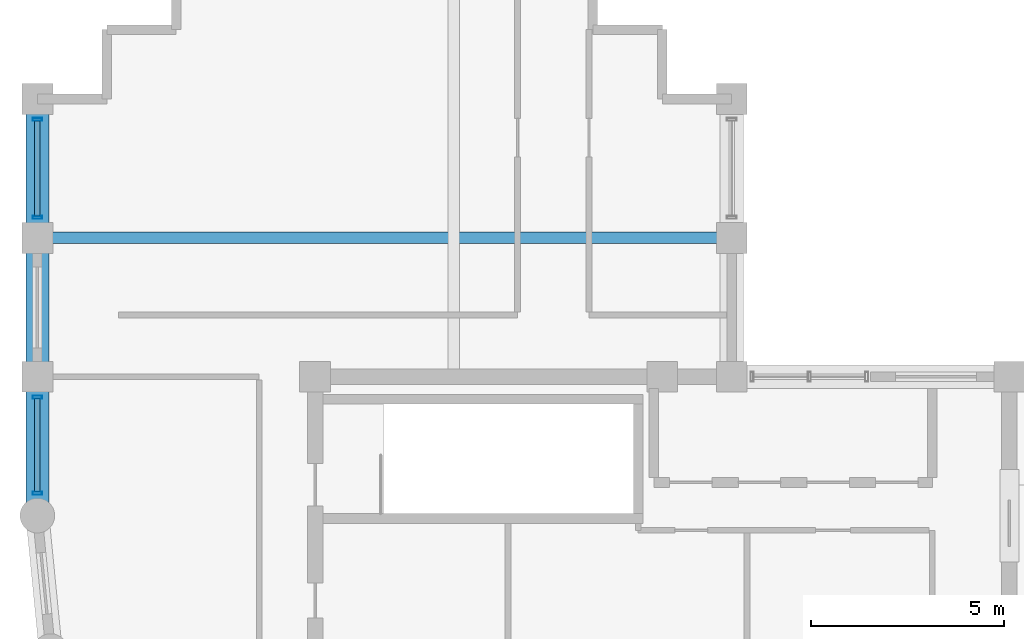
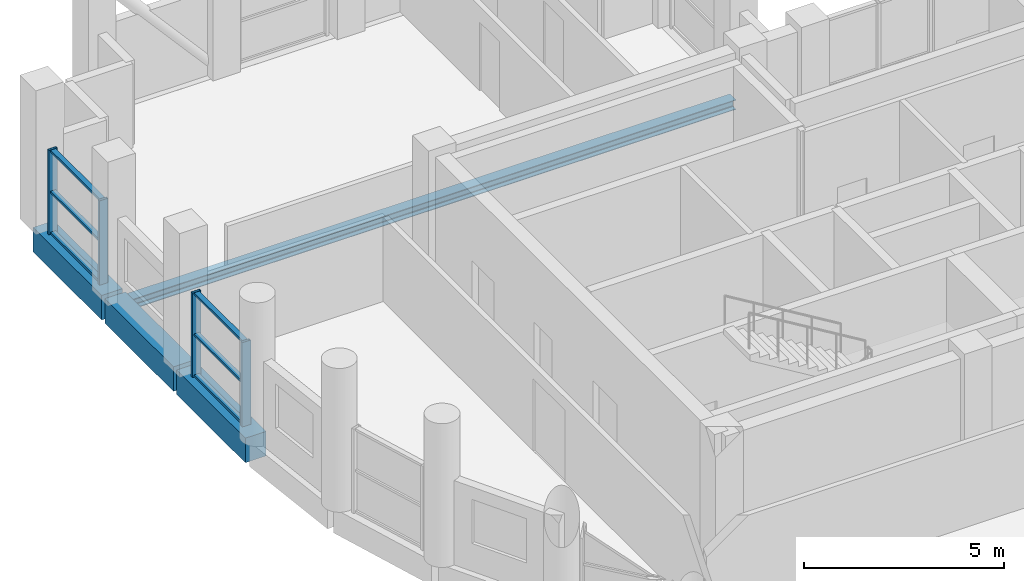
# One storey, part 5 of 14: 10 members, 4 beams, 2 elements without a shape of their own.
"""IFC4 building model written with IfcOpenShell, lengths in metres."""

from ifc_helpers import new_model, si_unit, direction, frame, origin, origin_2d, place, context, subcontext, project, spatial, rectangle, hollow_rectangle, i_section, extrude, material, layer, layer_set, material_profile, profile_set, type_object, element, aggregate, save


model = new_model("IFC4")

# Units and contexts
model_context = context("Model", 3, precision=1e-05, world=origin(), true_north=direction((0.0, 1.0)))
body_context = subcontext(model_context, "Body", "Model", "MODEL_VIEW")
ifc_project = project(units=[si_unit("LENGTHUNIT", "METRE"), si_unit("AREAUNIT", "SQUARE_METRE"), si_unit("VOLUMEUNIT", "CUBIC_METRE"), si_unit("PLANEANGLEUNIT", "RADIAN"), si_unit("MASSUNIT", "GRAM", prefix="KILO")], contexts=[model_context])

# Site, building, storey
site_placement = place(None, origin())
site = spatial("IfcSite", under=ifc_project, at=site_placement, CompositionType="ELEMENT")
building_placement = place(site_placement, origin())
building = spatial("IfcBuilding", under=site, at=building_placement, Name="Solnavia Interchange Tower", CompositionType="ELEMENT")
storey_placement = place(building_placement, frame((0.0, 0.0, 299.800048828125)))
storey = spatial("IfcBuildingStorey", under=building, at=storey_placement, Name="L76", CompositionType="ELEMENT", Elevation=299.800048828125)

# Beams
ifc_material_1 = material(Name="Steel S460", Category="steel")
ifc_material_profile_1 = material_profile(ifc_material_1, i_section(OverallWidth=0.300048828125, OverallDepth=0.300048828125, WebThickness=0.010986328125, FlangeThickness=0.01904296875, FilletRadius=0.027099609375, at=origin_2d()), Name="HEB 300")
ifc_profile_set_1 = profile_set([ifc_material_profile_1], Name="Steel S460")
beam_type_1 = type_object("IfcBeamType", Name="Beam-Girder-HEB300", PredefinedType="BEAM", material=ifc_profile_set_1)
beam_1_placement = place(storey_placement, frame((7.280029296875, 28.800048828125, -0.400146484375), z_axis=(1.0, 0.0, 0.0), x_axis=(0.0, 1.0, 0.0)))
element("IfcBeam", 1, at=beam_1_placement, inside=storey, type_object=beam_type_1, Name="GRD-L76-NW04 North wing primary floor girder", PredefinedType="BEAM", context=body_context, shape_type="SweptSolid", body=[
    extrude(i_section(OverallWidth=0.300048828125, OverallDepth=0.300048828125, WebThickness=0.010986328125, FlangeThickness=0.01904296875, FilletRadius=0.027099609375, at=origin_2d()), origin(), (0.0, 0.0, 1.0), 17.840087890625),
])
ifc_material_2 = material(Name="Concrete C50/60", Category="concrete")
ifc_material_profile_2 = material_profile(ifc_material_2, rectangle(XDim=0.60009765625, YDim=0.75, at=origin_2d()), Name="RC 600x750")
ifc_profile_set_2 = profile_set([ifc_material_profile_2], Name="Concrete C50/60")
beam_type_2 = type_object("IfcBeamType", Name="Beam-Spandrel-RC600x750", PredefinedType="SPANDREL", material=ifc_profile_set_2)
beam_2_placement = place(storey_placement, frame((7.199951171875, 32.320068359375, -0.375), z_axis=(0.0, -1.0, 0.0), x_axis=(1.0, 0.0, 0.0)))
element("IfcBeam", 2, at=beam_2_placement, inside=storey, type_object=beam_type_2, Name="SPB-L76-25 Framed-tube perimeter spandrel beam", PredefinedType="SPANDREL", context=body_context, shape_type="SweptSolid", body=[
    extrude(rectangle(XDim=0.60009765625, YDim=0.75, at=origin_2d()), origin(), (0.0, 0.0, 1.0), 3.440185546875),
])
beam_3_placement = place(storey_placement, frame((7.199951171875, 28.719970703125, -0.375), z_axis=(0.0, -1.0, 0.0), x_axis=(1.0, 0.0, 0.0)))
element("IfcBeam", 3, at=beam_3_placement, inside=storey, type_object=beam_type_2, Name="SPB-L76-26 Framed-tube perimeter spandrel beam", PredefinedType="SPANDREL", context=body_context, shape_type="SweptSolid", body=[
    extrude(rectangle(XDim=0.60009765625, YDim=0.75, at=origin_2d()), origin(), (0.0, 0.0, 1.0), 3.43994140625),
])
beam_4_placement = place(storey_placement, frame((7.199951171875, 25.1201171875, -0.375), z_axis=(0.0, -1.0, 0.0), x_axis=(1.0, 0.0, 0.0)))
element("IfcBeam", 4, at=beam_4_placement, inside=storey, type_object=beam_type_2, Name="SPB-L76-27 Framed-tube perimeter spandrel beam", PredefinedType="SPANDREL", context=body_context, shape_type="SweptSolid", body=[
    extrude(rectangle(XDim=0.60009765625, YDim=0.75, at=origin_2d()), origin(), (0.0, 0.0, 1.0), 3.440185546875),
])

# Curtain wall, members
ifc_material_3 = material(Name="Aluminium Alloy 6063-T6", Category="aluminium")
ifc_layer = layer(ifc_material_3, 0.27001953125)
ifc_layer_set = layer_set([ifc_layer], Name="Aluminium Alloy 6063-T6")
curtain_wall_type = type_object("IfcCurtainWallType", Name="CurtainWall-SkyLobby-CTW4", PredefinedType="NOTDEFINED", material=ifc_layer_set)
curtain_wall_1_placement = place(storey_placement, origin())
curtain_wall_1 = element("IfcCurtainWall", 5, at=curtain_wall_1_placement, inside=storey, type_object=curtain_wall_type, Name="CTW-L76-S34 CTW-4 curtain wall", PredefinedType="NOTDEFINED")
ifc_material_profile_3 = material_profile(ifc_material_3, hollow_rectangle(XDim=0.080078125, YDim=0.25, WallThickness=0.006103515625, at=origin_2d()), Name="ALU 250x80x6")
ifc_profile_set_3 = profile_set([ifc_material_profile_3], Name="Aluminium Alloy 6063-T6")
member_type_1 = type_object("IfcMemberType", Name="CW-Mullion-CWM-4", PredefinedType="MULLION", material=ifc_profile_set_3)
member_1_placement = place(storey_placement, frame((7.199951171875, 31.8701171875, 0.0), z_axis=(0.0, 0.0, 1.0), x_axis=(0.0, -1.0, 0.0)))
member_1 = element("IfcMember", 6, at=member_1_placement, type_object=member_type_1, Name="CTW-4 mullion 1", PredefinedType="MULLION", context=body_context, shape_type="SweptSolid", body=[
    extrude(hollow_rectangle(XDim=0.080078125, YDim=0.25, WallThickness=0.006103515625, at=origin_2d()), origin(), (0.0, 0.0, 1.0), 2.579833984375),
])
member_2_placement = place(storey_placement, frame((7.199951171875, 29.330078125, 0.0), z_axis=(0.0, 0.0, 1.0), x_axis=(0.0, -1.0, 0.0)))
member_2 = element("IfcMember", 7, at=member_2_placement, type_object=member_type_1, Name="CTW-4 mullion 2", PredefinedType="MULLION", context=body_context, shape_type="SweptSolid", body=[
    extrude(hollow_rectangle(XDim=0.080078125, YDim=0.25, WallThickness=0.006103515625, at=origin_2d()), origin(), (0.0, 0.0, 1.0), 2.579833984375),
])

curtain_wall_2_placement = place(storey_placement, origin())
curtain_wall_2 = element("IfcCurtainWall", 8, at=curtain_wall_2_placement, inside=storey, type_object=curtain_wall_type, Name="CTW-L76-S36 CTW-4 curtain wall", PredefinedType="NOTDEFINED")
member_3_placement = place(storey_placement, frame((7.199951171875, 24.669921875, 0.0), z_axis=(0.0, 0.0, 1.0), x_axis=(0.0, -1.0, 0.0)))
member_3 = element("IfcMember", 9, at=member_3_placement, type_object=member_type_1, Name="CTW-4 mullion 1", PredefinedType="MULLION", context=body_context, shape_type="SweptSolid", body=[
    extrude(hollow_rectangle(XDim=0.080078125, YDim=0.25, WallThickness=0.006103515625, at=origin_2d()), origin(), (0.0, 0.0, 1.0), 2.579833984375),
])
member_4_placement = place(storey_placement, frame((7.199951171875, 22.179931640625, 0.0), z_axis=(0.0, 0.0, 1.0), x_axis=(0.0, -1.0, 0.0)))
member_4 = element("IfcMember", 10, at=member_4_placement, type_object=member_type_1, Name="CTW-4 mullion 2", PredefinedType="MULLION", context=body_context, shape_type="SweptSolid", body=[
    extrude(hollow_rectangle(XDim=0.080078125, YDim=0.25, WallThickness=0.006103515625, at=origin_2d()), origin(), (0.0, 0.0, 1.0), 2.579833984375),
])

# Member
ifc_material_profile_4 = material_profile(ifc_material_3, hollow_rectangle(XDim=0.070068359375, YDim=0.14990234375, WallThickness=0.00439453125, at=origin_2d()), Name="ALU 150x70x4.5")
ifc_profile_set_4 = profile_set([ifc_material_profile_4], Name="Aluminium Alloy 6063-T6")
member_type_2 = type_object("IfcMemberType", Name="CW-Transom-CWT-4", PredefinedType="USERDEFINED", material=ifc_profile_set_4)
member_5_placement = place(storey_placement, frame((7.199951171875, 31.830078125, 0.034912109375), z_axis=(0.0, -1.0, 0.0), x_axis=(0.0, 0.0, 1.0)))
member_5 = element("IfcMember", 11, at=member_5_placement, type_object=member_type_2, Name="CTW-4 transom 1.1", ObjectType="TRANSOM", PredefinedType="USERDEFINED", context=body_context, shape_type="SweptSolid", body=[
    extrude(hollow_rectangle(XDim=0.070068359375, YDim=0.14990234375, WallThickness=0.00439453125, at=origin_2d()), origin(), (0.0, 0.0, 1.0), 2.4599609375),
])

member_6_placement = place(storey_placement, frame((7.199951171875, 31.830078125, 1.2900390625), z_axis=(0.0, -1.0, 0.0), x_axis=(0.0, 0.0, 1.0)))
member_6 = element("IfcMember", 12, at=member_6_placement, type_object=member_type_2, Name="CTW-4 transom 1.2", ObjectType="TRANSOM", PredefinedType="USERDEFINED", context=body_context, shape_type="SweptSolid", body=[
    extrude(hollow_rectangle(XDim=0.070068359375, YDim=0.14990234375, WallThickness=0.00439453125, at=origin_2d()), origin(), (0.0, 0.0, 1.0), 2.4599609375),
])

member_7_placement = place(storey_placement, frame((7.199951171875, 31.830078125, 2.544921875), z_axis=(0.0, -1.0, 0.0), x_axis=(0.0, 0.0, 1.0)))
member_7 = element("IfcMember", 13, at=member_7_placement, type_object=member_type_2, Name="CTW-4 transom 1.3", ObjectType="TRANSOM", PredefinedType="USERDEFINED", context=body_context, shape_type="SweptSolid", body=[
    extrude(hollow_rectangle(XDim=0.070068359375, YDim=0.14990234375, WallThickness=0.00439453125, at=origin_2d()), origin(), (0.0, 0.0, 1.0), 2.4599609375),
])

aggregate(curtain_wall_1, [member_1, member_2, member_5, member_6, member_7])

member_8_placement = place(storey_placement, frame((7.199951171875, 24.6298828125, 0.034912109375), z_axis=(0.0, -1.0, 0.0), x_axis=(0.0, 0.0, 1.0)))
member_8 = element("IfcMember", 14, at=member_8_placement, type_object=member_type_2, Name="CTW-4 transom 1.1", ObjectType="TRANSOM", PredefinedType="USERDEFINED", context=body_context, shape_type="SweptSolid", body=[
    extrude(hollow_rectangle(XDim=0.070068359375, YDim=0.14990234375, WallThickness=0.00439453125, at=origin_2d()), origin(), (0.0, 0.0, 1.0), 2.409912109375),
])

member_9_placement = place(storey_placement, frame((7.199951171875, 24.6298828125, 1.2900390625), z_axis=(0.0, -1.0, 0.0), x_axis=(0.0, 0.0, 1.0)))
member_9 = element("IfcMember", 15, at=member_9_placement, type_object=member_type_2, Name="CTW-4 transom 1.2", ObjectType="TRANSOM", PredefinedType="USERDEFINED", context=body_context, shape_type="SweptSolid", body=[
    extrude(hollow_rectangle(XDim=0.070068359375, YDim=0.14990234375, WallThickness=0.00439453125, at=origin_2d()), origin(), (0.0, 0.0, 1.0), 2.409912109375),
])

member_10_placement = place(storey_placement, frame((7.199951171875, 24.6298828125, 2.544921875), z_axis=(0.0, -1.0, 0.0), x_axis=(0.0, 0.0, 1.0)))
member_10 = element("IfcMember", 16, at=member_10_placement, type_object=member_type_2, Name="CTW-4 transom 1.3", ObjectType="TRANSOM", PredefinedType="USERDEFINED", context=body_context, shape_type="SweptSolid", body=[
    extrude(hollow_rectangle(XDim=0.070068359375, YDim=0.14990234375, WallThickness=0.00439453125, at=origin_2d()), origin(), (0.0, 0.0, 1.0), 2.409912109375),
])

aggregate(curtain_wall_2, [member_3, member_4, member_8, member_9, member_10])

save(model, "model.ifc")
